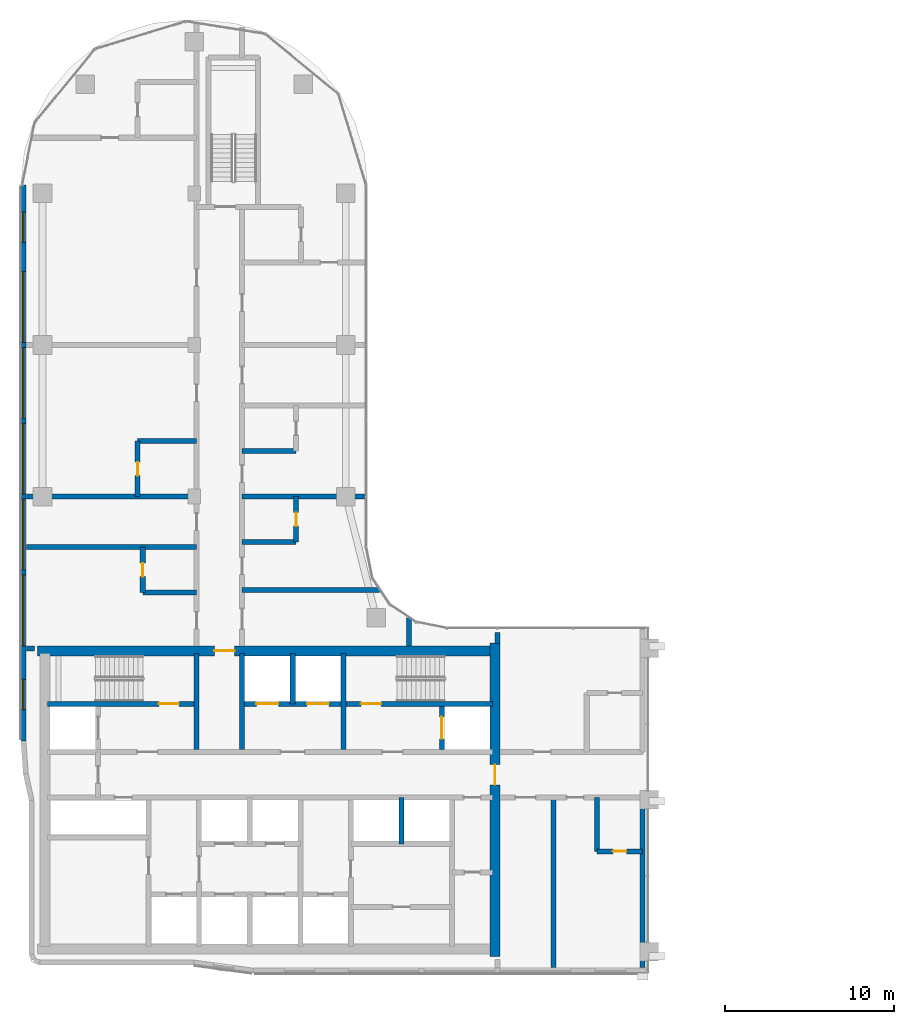
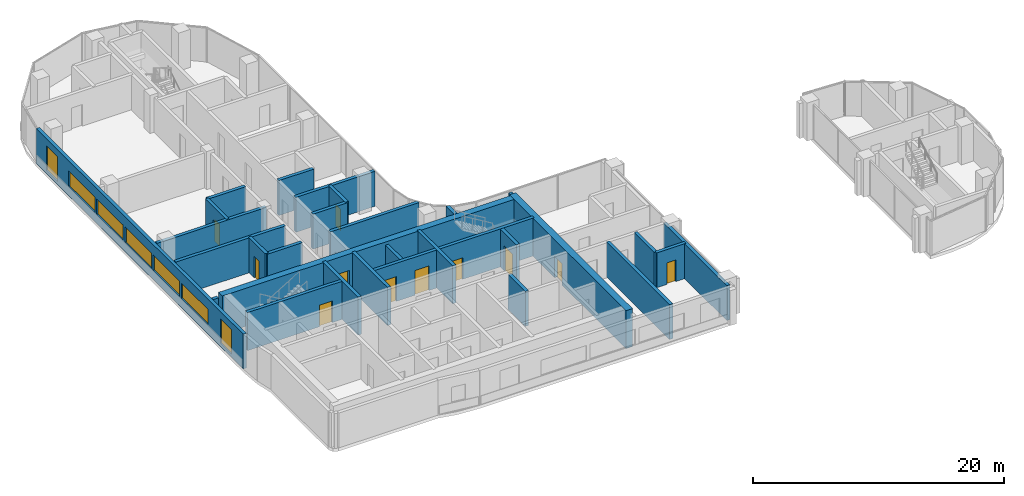
# One storey, part 11 of 23: 29 walls, 11 doors, 7 windows, 18 openings.
"""IFC4 building model written with IfcOpenShell, lengths in metres."""

import ifcopenshell
import ifcopenshell.guid

model = None  # the IFC model being written
_history = None  # IfcOwnerHistory: only IFC2X3 demands one
_inside = {}  # id of a spatial element -> (the spatial element, [elements in it])
_under = {}  # id of a project, library or spatial element -> (it, [spatial elements below it])
_declared = {}  # id of a project -> (the project, [libraries it declares])
_typed = {}  # id of a type object -> (the type object, [elements of that type])
_made_of = {}  # id of a material, layer set ... -> (it, [elements and type objects made of it])


def new_model(schema):
    """Start an empty IFC model of exactly this schema.

    Asked for "IFC4X3", IfcOpenShell would pick the latest addendum, in which some entities
    have other attributes; the version numbers below select the first issue.
    IFC2X3 requires an IfcOwnerHistory on every rooted entity: one is made here for all.
    """
    global model, _history
    if schema == "IFC4X3":
        model = ifcopenshell.file(schema_version=(4, 3, 0, 0))
    else:
        model = ifcopenshell.file(schema=schema)
    _inside.clear()
    _under.clear()
    _declared.clear()
    _typed.clear()
    _made_of.clear()
    _history = None
    if model.schema == "IFC2X3":
        org = make("IfcOrganization", Name="unknown")
        user = make(
            "IfcPersonAndOrganization",
            ThePerson=make("IfcPerson", FamilyName="unknown"),
            TheOrganization=org,
        )
        app = make(
            "IfcApplication",
            ApplicationDeveloper=org,
            Version="unknown",
            ApplicationFullName="unknown",
            ApplicationIdentifier="unknown",
        )
        _history = make(
            "IfcOwnerHistory",
            OwningUser=user,
            OwningApplication=app,
            ChangeAction="ADDED",
            CreationDate=0,
        )
    return model


def make(cls, **values):
    """One entity of the class cls with the attributes given. An attribute that is None is left unset."""
    return model.create_entity(
        cls, **{name: value for name, value in values.items() if value is not None}
    )


def rooted(cls, **values):
    """An entity with a GlobalId (a new one), such as an element, a storey or a relation."""
    return make(cls, GlobalId=ifcopenshell.guid.new(), OwnerHistory=_history, **values)


def si_unit(unit_type, name, prefix=None):
    """IfcSIUnit, for example si_unit("LENGTHUNIT", "METRE", prefix="MILLI")."""
    return make("IfcSIUnit", UnitType=unit_type, Prefix=prefix, Name=name)


def assignment(units):
    """IfcUnitAssignment: the units of a project."""
    return None if units is None else make("IfcUnitAssignment", Units=units)


def point(xyz):
    """IfcCartesianPoint."""
    return None if xyz is None else make("IfcCartesianPoint", Coordinates=xyz)


def direction(xyz):
    """IfcDirection."""
    return None if xyz is None else make("IfcDirection", DirectionRatios=xyz)


def frame(location, z_axis=None, x_axis=None):
    """IfcAxis2Placement3D, a coordinate frame: its origin and axes. An axis left out is left unset."""
    return make(
        "IfcAxis2Placement3D",
        Location=point(location),
        Axis=direction(z_axis),
        RefDirection=direction(x_axis),
    )


def frame_2d(location, x_axis=None):
    """IfcAxis2Placement2D, a coordinate frame in the plane: its origin and x axis."""
    return make(
        "IfcAxis2Placement2D", Location=point(location), RefDirection=direction(x_axis)
    )


def origin():
    """The frame at (0, 0, 0) with its axes left unset."""
    return frame((0.0, 0.0, 0.0))


def place(relative_to, where):
    """IfcLocalPlacement: puts the frame where relative to a parent placement (None: the world)."""
    return make(
        "IfcLocalPlacement", PlacementRelTo=relative_to, RelativePlacement=where
    )


def context(
    kind, dimensions, precision=None, world=None, true_north=None, identifier=None
):
    """IfcGeometricRepresentationContext, for example the 3D "Model" context."""
    return make(
        "IfcGeometricRepresentationContext",
        ContextIdentifier=identifier,
        ContextType=kind,
        CoordinateSpaceDimension=dimensions,
        Precision=precision,
        WorldCoordinateSystem=world,
        TrueNorth=true_north,
    )


def subcontext(parent, identifier, kind, view, scale=None):
    """IfcGeometricRepresentationSubContext, for example "Body" below "Model"."""
    return make(
        "IfcGeometricRepresentationSubContext",
        ContextIdentifier=identifier,
        ContextType=kind,
        ParentContext=parent,
        TargetScale=scale,
        TargetView=view,
    )


def project(units=None, contexts=None):
    """IfcProject with its units and contexts."""
    return rooted(
        "IfcProject",
        Name="project",
        RepresentationContexts=contexts,
        UnitsInContext=assignment(units),
    )


def spatial(cls, under=None, at=None, **own):
    """A site, building, storey or space (cls), placed at a placement, below another one or the project."""
    s = rooted(cls, ObjectPlacement=at, **own)
    if under is not None:
        _under.setdefault(under.id(), (under, []))[1].append(s)
    return s


def profile(cls, at=None, kind="AREA", **sizes):
    """A parametric profile (cls). Its sizes go by their IFC names, for example OverallWidth=200.0."""
    return make(cls, ProfileType=kind, Position=at, **sizes)


def rectangle(**sizes):
    """IfcRectangleProfileDef."""
    return profile("IfcRectangleProfileDef", **sizes)


def extrude(swept, where, along, depth):
    """IfcExtrudedAreaSolid: the profile swept, set in the frame where, extruded along a direction by depth."""
    return make(
        "IfcExtrudedAreaSolid",
        SweptArea=swept,
        Position=where,
        ExtrudedDirection=direction(along),
        Depth=depth,
    )


def shape(context_of_items, identifier, shape_type, items):
    """IfcShapeRepresentation: the items that make up one representation, for example the "Body"."""
    return make(
        "IfcShapeRepresentation",
        ContextOfItems=context_of_items,
        RepresentationIdentifier=identifier,
        RepresentationType=shape_type,
        Items=items,
    )


def material(Name=None, Category=None):
    """IfcMaterial."""
    return make("IfcMaterial", Name=Name, Category=Category)


def layer(
    of_material, thickness, ventilated=None, Name=None, Category=None, Priority=None
):
    """IfcMaterialLayer: one layer of a wall or slab, of a material (None: an air gap)."""
    return make(
        "IfcMaterialLayer",
        Material=of_material,
        LayerThickness=thickness,
        IsVentilated=ventilated,
        Name=Name,
        Category=Category,
        Priority=Priority,
    )


def layer_set(layers, Name=None):
    """IfcMaterialLayerSet."""
    return make("IfcMaterialLayerSet", MaterialLayers=layers, LayerSetName=Name)


def made_of(thing, what):
    """Note that an element or type object is made of a material, layer set ...; save() writes the relation."""
    if what is not None:
        _made_of.setdefault(what.id(), (what, []))[1].append(thing)
    return thing


def type_object(cls, material=None, **own):
    """A type object (cls), such as IfcWallType, which elements share."""
    return made_of(rooted(cls, **own), material)


def element(
    cls,
    number,
    at=None,
    inside=None,
    cuts=None,
    type_object=None,
    material=None,
    context=None,
    identifier="Body",
    shape_type=None,
    held_by="IfcProductDefinitionShape",
    body=None,
    shapes=None,
    **own,
):
    """One element of the class cls, such as IfcWall. Its Tag is "e" and its number.

    at: its placement. inside: the storey or other place that contains it. cuts: it is an
    opening in that element (IfcRelVoidsElement). A single representation is given by context,
    identifier, shape_type and body (its items); several are given by shapes. held_by: the class
    of the entity that holds the representations. save() writes the other relations.
    """
    e = rooted(cls, Tag="e%d" % number, ObjectPlacement=at, **own)
    if body is not None:
        shapes = [shape(context, identifier, shape_type, body)]
    if shapes is not None:
        e.Representation = make(held_by, Representations=shapes)
    if inside is not None:
        _inside.setdefault(inside.id(), (inside, []))[1].append(e)
    if cuts is not None:
        rooted(
            "IfcRelVoidsElement", RelatingBuildingElement=cuts, RelatedOpeningElement=e
        )
    if type_object is not None:
        _typed.setdefault(type_object.id(), (type_object, []))[1].append(e)
    return made_of(e, material)


def fill(opening, filler):
    """IfcRelFillsElement: the door or window that sits in an opening."""
    return rooted(
        "IfcRelFillsElement",
        RelatingOpeningElement=opening,
        RelatedBuildingElement=filler,
    )


def aggregate(whole, parts):
    """IfcRelAggregates: a whole, such as a stair, and the parts it consists of."""
    return rooted("IfcRelAggregates", RelatingObject=whole, RelatedObjects=parts)


def save(model, path):
    """Write the relations noted so far, then the file.

    IfcRelAggregates (storeys below a building ...), IfcRelContainedInSpatialStructure (elements
    in a storey), IfcRelDefinesByType, IfcRelAssociatesMaterial and IfcRelDeclares: one each for
    every whole, place, type object, material and project.
    """
    for whole, parts in _under.values():
        aggregate(whole, parts)
    for where, things in _inside.values():
        rooted(
            "IfcRelContainedInSpatialStructure",
            RelatedElements=things,
            RelatingStructure=where,
        )
    for kind, things in _typed.values():
        rooted("IfcRelDefinesByType", RelatedObjects=things, RelatingType=kind)
    for what, things in _made_of.values():
        rooted("IfcRelAssociatesMaterial", RelatedObjects=things, RelatingMaterial=what)
    for by, libraries in _declared.values():
        rooted("IfcRelDeclares", RelatingContext=by, RelatedDefinitions=libraries)
    model.write(path)


model = new_model("IFC4")

# Units and contexts
model_context = context("Model", 3, precision=1e-05, world=origin(), true_north=direction((0.0, 1.0)))
body_context = subcontext(model_context, "Body", "Model", "MODEL_VIEW")
ifc_project = project(units=[si_unit("LENGTHUNIT", "METRE"), si_unit("AREAUNIT", "SQUARE_METRE"), si_unit("VOLUMEUNIT", "CUBIC_METRE"), si_unit("PLANEANGLEUNIT", "RADIAN"), si_unit("MASSUNIT", "GRAM", prefix="KILO")], contexts=[model_context])

# Site, building, storey
site_placement = place(None, origin())
site = spatial("IfcSite", under=ifc_project, at=site_placement, CompositionType="ELEMENT")
building_placement = place(site_placement, origin())
building = spatial("IfcBuilding", under=site, at=building_placement, Name="Ogive Portal Towers", CompositionType="ELEMENT")
storey_placement = place(building_placement, frame((0.0, 0.0, 168.10009765625)))
storey = spatial("IfcBuildingStorey", under=building, at=storey_placement, Name="L41", CompositionType="ELEMENT", Elevation=168.10009765625)

# Wall, opening, door
ifc_material_1 = material(Name="Concrete C60/75", Category="concrete")
ifc_layer_1 = layer(ifc_material_1, 0.300048828125)
ifc_layer_set_1 = layer_set([ifc_layer_1], Name="CORE WALL 300 C60")
wall_type_1 = type_object("IfcWallType", Name="CORE WALL 300 C60", PredefinedType="SHEAR", material=ifc_layer_set_1)
wall_1_placement = place(storey_placement, frame((31.800048828125, 36.199951171875, 0.0), z_axis=(0.0, 0.0, 1.0), x_axis=(1.0, 0.0, 0.0)))
wall_1 = element("IfcWall", 1, at=wall_1_placement, inside=storey, type_object=wall_type_1, Name="Core wall Y3a L41", PredefinedType="SHEAR", context=body_context, shape_type="SweptSolid", body=[
    extrude(rectangle(XDim=8.699951171875, YDim=0.300048828125, at=frame_2d((4.35009765625, 0.0))), origin(), (0.0, 0.0, 1.0), 3.699951171875),
])
opening_1_placement = place(wall_1_placement, frame((6.60009765625, 0.0, 0.0)))
opening_1 = element("IfcOpeningElement", 2, at=opening_1_placement, cuts=wall_1, Name="Opening D16-005", PredefinedType="OPENING", context=body_context, shape_type="SweptSolid", body=[
    extrude(rectangle(XDim=1.199951171875, YDim=2.10009765625, at=frame_2d((0.60009765625, 1.050048828125))), frame((0.0, 0.16015625, 0.0), z_axis=(0.0, -1.0, 0.0), x_axis=(1.0, 0.0, 0.0)), (0.0, 0.0, 1.0), 0.320068359375),
])
ifc_material_2 = material(Name="Steel fire door", Category="steel")
door_type_1 = type_object("IfcDoorType", Name="DT-SWING-1200x2100-FD90S", OperationType="SINGLE_SWING_LEFT", PredefinedType="DOOR", material=ifc_material_2)
door_1_placement = place(opening_1_placement, origin())
door_1 = element("IfcDoor", 3, at=door_1_placement, inside=storey, type_object=door_type_1, Name="Door D16-005", OperationType="SINGLE_SWING_RIGHT", OverallHeight=2.10009765625, OverallWidth=1.199951171875, PredefinedType="DOOR", context=body_context, shape_type="SweptSolid", body=[
    extrude(rectangle(XDim=1.199951171875, YDim=2.10009765625, at=frame_2d((0.60009765625, 1.050048828125))), frame((0.0, 0.02490234375, 0.0), z_axis=(0.0, -1.0, 0.0), x_axis=(1.0, 0.0, 0.0)), (0.0, 0.0, 1.0), 0.050048828125),
])
fill(opening_1, door_1)

# Wall, openings, doors
wall_2_placement = place(storey_placement, frame((43.5, 36.199951171875, 0.0), z_axis=(0.0, 0.0, 1.0), x_axis=(1.0, 0.0, 0.0)))
wall_2 = element("IfcWall", 4, at=wall_2_placement, inside=storey, type_object=wall_type_1, Name="Core wall Y3b L41", PredefinedType="SHEAR", context=body_context, shape_type="SweptSolid", body=[
    extrude(rectangle(XDim=14.699951171875, YDim=0.300048828125, at=frame_2d((7.35009765625, 0.0))), origin(), (0.0, 0.0, 1.0), 3.699951171875),
])
opening_2_placement = place(wall_2_placement, frame((6.89990234375, 0.0, 0.0)))
opening_2 = element("IfcOpeningElement", 5, at=opening_2_placement, cuts=wall_2, Name="Opening D16-006", PredefinedType="OPENING", context=body_context, shape_type="SweptSolid", body=[
    extrude(rectangle(XDim=1.199951171875, YDim=2.10009765625, at=frame_2d((0.60009765625, 1.050048828125))), frame((0.0, 0.16015625, 0.0), z_axis=(0.0, -1.0, 0.0), x_axis=(1.0, 0.0, 0.0)), (0.0, 0.0, 1.0), 0.320068359375),
])
opening_3_placement = place(wall_2_placement, frame((0.699951171875, 0.0, 0.0)))
opening_3 = element("IfcOpeningElement", 6, at=opening_3_placement, cuts=wall_2, Name="Opening D16-017", PredefinedType="OPENING", context=body_context, shape_type="SweptSolid", body=[
    extrude(rectangle(XDim=1.300048828125, YDim=2.39990234375, at=frame_2d((0.64990234375, 1.199951171875))), frame((0.0, 0.16015625, 0.0), z_axis=(0.0, -1.0, 0.0), x_axis=(1.0, 0.0, 0.0)), (0.0, 0.0, 1.0), 0.320068359375),
])
opening_4_placement = place(wall_2_placement, frame((3.699951171875, 0.0, 0.0)))
opening_4 = element("IfcOpeningElement", 7, at=opening_4_placement, cuts=wall_2, Name="Opening D16-018", PredefinedType="OPENING", context=body_context, shape_type="SweptSolid", body=[
    extrude(rectangle(XDim=1.300048828125, YDim=2.39990234375, at=frame_2d((0.64990234375, 1.199951171875))), frame((0.0, 0.16015625, 0.0), z_axis=(0.0, -1.0, 0.0), x_axis=(1.0, 0.0, 0.0)), (0.0, 0.0, 1.0), 0.320068359375),
])
ifc_material_3 = material(Name="Stainless steel", Category="steel")
door_type_2 = type_object("IfcDoorType", Name="DT-LD-1300x2400", OperationType="SLIDING_TO_LEFT", PredefinedType="DOOR", material=ifc_material_3)
door_2_placement = place(opening_3_placement, origin())
door_2 = element("IfcDoor", 8, at=door_2_placement, inside=storey, type_object=door_type_2, Name="Door D16-017", OperationType="SLIDING_TO_LEFT", OverallHeight=2.39990234375, OverallWidth=1.300048828125, PredefinedType="DOOR", context=body_context, shape_type="SweptSolid", body=[
    extrude(rectangle(XDim=1.300048828125, YDim=2.39990234375, at=frame_2d((0.64990234375, 1.199951171875))), frame((0.0, 0.02490234375, 0.0), z_axis=(0.0, -1.0, 0.0), x_axis=(1.0, 0.0, 0.0)), (0.0, 0.0, 1.0), 0.050048828125),
])
fill(opening_3, door_2)
door_3_placement = place(opening_4_placement, origin())
door_3 = element("IfcDoor", 9, at=door_3_placement, inside=storey, type_object=door_type_2, Name="Door D16-018", OperationType="SLIDING_TO_LEFT", OverallHeight=2.39990234375, OverallWidth=1.300048828125, PredefinedType="DOOR", context=body_context, shape_type="SweptSolid", body=[
    extrude(rectangle(XDim=1.300048828125, YDim=2.39990234375, at=frame_2d((0.64990234375, 1.199951171875))), frame((0.0, 0.02490234375, 0.0), z_axis=(0.0, -1.0, 0.0), x_axis=(1.0, 0.0, 0.0)), (0.0, 0.0, 1.0), 0.050048828125),
])
fill(opening_4, door_3)
door_4_placement = place(opening_2_placement, origin())
door_4 = element("IfcDoor", 10, at=door_4_placement, inside=storey, type_object=door_type_1, Name="Door D16-006", OperationType="SINGLE_SWING_LEFT", OverallHeight=2.10009765625, OverallWidth=1.199951171875, PredefinedType="DOOR", context=body_context, shape_type="SweptSolid", body=[
    extrude(rectangle(XDim=1.199951171875, YDim=2.10009765625, at=frame_2d((0.60009765625, 1.050048828125))), frame((0.0, 0.02490234375, 0.0), z_axis=(0.0, -1.0, 0.0), x_axis=(1.0, 0.0, 0.0)), (0.0, 0.0, 1.0), 0.050048828125),
])
fill(opening_2, door_4)

# Walls
for number, where, z_axis, x_axis, name in (
    (11, (40.64990234375, 33.5, 0.0), (0.0, 0.0, 1.0), (0.0, 1.0, 0.0), "Core wall X6 L41"),
    (12, (43.35009765625, 33.5, 0.0), (0.0, 0.0, 1.0), (0.0, 1.0, 0.0), "Core wall X7 L41"),
    (13, (49.35009765625, 33.5, 0.0), (0.0, 0.0, 1.0), (0.0, 1.0, 0.0), "Core wall X9 L41"),
):
    element("IfcWall", number, at=place(storey_placement, frame(where, z_axis=z_axis, x_axis=x_axis)), inside=storey, type_object=wall_type_1, Name=name, PredefinedType="SHEAR", context=body_context, shape_type="SweptSolid", body=[
        extrude(rectangle(XDim=5.699951171875, YDim=0.300048828125, at=frame_2d((2.85009765625, 0.0))), origin(), (0.0, 0.0, 1.0), 3.699951171875),
    ])

# Wall, opening, door
wall_3_placement = place(storey_placement, frame((55.199951171875, 33.5, 0.0), z_axis=(0.0, 0.0, 1.0), x_axis=(0.0, 1.0, 0.0)))
wall_3 = element("IfcWall", 14, at=wall_3_placement, inside=storey, type_object=wall_type_1, Name="Core wall X10 L41", PredefinedType="SHEAR", context=body_context, shape_type="SweptSolid", body=[
    extrude(rectangle(XDim=2.550048828125, YDim=0.300048828125, at=frame_2d((1.27490234375, 0.0))), origin(), (0.0, 0.0, 1.0), 3.699951171875),
])
opening_5_placement = place(wall_3_placement, frame((0.625, 0.0, 0.0)))
opening_5 = element("IfcOpeningElement", 15, at=opening_5_placement, cuts=wall_3, Name="Opening D16-020", PredefinedType="OPENING", context=body_context, shape_type="SweptSolid", body=[
    extrude(rectangle(XDim=1.300048828125, YDim=2.39990234375, at=frame_2d((0.64990234375, 1.199951171875))), frame((0.0, 0.16015625, 0.0), z_axis=(0.0, -1.0, 0.0), x_axis=(1.0, 0.0, 0.0)), (0.0, 0.0, 1.0), 0.320068359375),
])
door_5_placement = place(opening_5_placement, origin())
door_5 = element("IfcDoor", 16, at=door_5_placement, inside=storey, type_object=door_type_2, Name="Door D16-020", OperationType="SLIDING_TO_LEFT", OverallHeight=2.39990234375, OverallWidth=1.300048828125, PredefinedType="DOOR", context=body_context, shape_type="SweptSolid", body=[
    extrude(rectangle(XDim=1.300048828125, YDim=2.39990234375, at=frame_2d((0.64990234375, 1.199951171875))), frame((0.0, 0.02490234375, 0.0), z_axis=(0.0, -1.0, 0.0), x_axis=(1.0, 0.0, 0.0)), (0.0, 0.0, 1.0), 0.050048828125),
])
fill(opening_5, door_5)

ifc_layer_2 = layer(ifc_material_1, 0.60009765625)
ifc_layer_set_2 = layer_set([ifc_layer_2], Name="CORE WALL 600 C60")
wall_type_2 = type_object("IfcWallType", Name="CORE WALL 600 C60", PredefinedType="SHEAR", material=ifc_layer_set_2)
wall_4_placement = place(storey_placement, frame((58.35009765625, 21.199951171875, 0.0), z_axis=(0.0, 0.0, 1.0), x_axis=(0.0, 1.0, 0.0)))
wall_4 = element("IfcWall", 17, at=wall_4_placement, inside=storey, type_object=wall_type_2, Name="Core wall E L41", PredefinedType="SHEAR", context=body_context, shape_type="SweptSolid", body=[
    extrude(rectangle(XDim=18.60009765625, YDim=0.60009765625, at=frame_2d((9.300048828125, 0.0))), origin(), (0.0, 0.0, 1.0), 3.699951171875),
])
opening_6_placement = place(wall_4_placement, frame((10.199951171875, 0.0, 0.0)))
opening_6 = element("IfcOpeningElement", 18, at=opening_6_placement, cuts=wall_4, Name="Opening D16-011", PredefinedType="OPENING", context=body_context, shape_type="SweptSolid", body=[
    extrude(rectangle(XDim=1.199951171875, YDim=2.10009765625, at=frame_2d((0.60009765625, 1.050048828125))), frame((0.0, 0.31005859375, 0.0), z_axis=(0.0, -1.0, 0.0), x_axis=(1.0, 0.0, 0.0)), (0.0, 0.0, 1.0), 0.6201171875),
])
door_6_placement = place(opening_6_placement, origin())
door_6 = element("IfcDoor", 19, at=door_6_placement, inside=storey, type_object=door_type_1, Name="Door D16-011", OperationType="SINGLE_SWING_LEFT", OverallHeight=2.10009765625, OverallWidth=1.199951171875, PredefinedType="DOOR", context=body_context, shape_type="SweptSolid", body=[
    extrude(rectangle(XDim=1.199951171875, YDim=2.10009765625, at=frame_2d((0.60009765625, 1.050048828125))), frame((0.0, 0.02490234375, 0.0), z_axis=(0.0, -1.0, 0.0), x_axis=(1.0, 0.0, 0.0)), (0.0, 0.0, 1.0), 0.050048828125),
])
fill(opening_6, door_6)

wall_5_placement = place(storey_placement, frame((31.199951171875, 39.35009765625, 0.0), z_axis=(0.0, 0.0, 1.0), x_axis=(1.0, 0.0, 0.0)))
wall_5 = element("IfcWall", 20, at=wall_5_placement, inside=storey, type_object=wall_type_2, Name="Core wall N L41", PredefinedType="SHEAR", context=body_context, shape_type="SweptSolid", body=[
    extrude(rectangle(XDim=27.0, YDim=0.60009765625, at=frame_2d((13.5, 0.0))), origin(), (0.0, 0.0, 1.0), 3.699951171875),
])
opening_7_placement = place(wall_5_placement, frame((10.5, 0.0, 0.0)))
opening_7 = element("IfcOpeningElement", 21, at=opening_7_placement, cuts=wall_5, Name="Opening D16-012", PredefinedType="OPENING", context=body_context, shape_type="SweptSolid", body=[
    extrude(rectangle(XDim=1.199951171875, YDim=2.10009765625, at=frame_2d((0.60009765625, 1.050048828125))), frame((0.0, 0.31005859375, 0.0), z_axis=(0.0, -1.0, 0.0), x_axis=(1.0, 0.0, 0.0)), (0.0, 0.0, 1.0), 0.6201171875),
])
door_7_placement = place(opening_7_placement, origin())
door_7 = element("IfcDoor", 22, at=door_7_placement, inside=storey, type_object=door_type_1, Name="Door D16-012", OperationType="SINGLE_SWING_RIGHT", OverallHeight=2.10009765625, OverallWidth=1.199951171875, PredefinedType="DOOR", context=body_context, shape_type="SweptSolid", body=[
    extrude(rectangle(XDim=1.199951171875, YDim=2.10009765625, at=frame_2d((0.60009765625, 1.050048828125))), frame((0.0, 0.02490234375, 0.0), z_axis=(0.0, -1.0, 0.0), x_axis=(1.0, 0.0, 0.0)), (0.0, 0.0, 1.0), 0.050048828125),
])
fill(opening_7, door_7)

# Wall, openings, windows
ifc_material_4 = material(Name="Limestone cladding on lightweight block wall", Category="masonry")
ifc_layer_3 = layer(ifc_material_4, 0.300048828125)
ifc_layer_set_3 = layer_set([ifc_layer_3], Name="EXTERNAL WALL 300 STONE")
wall_type_3 = type_object("IfcWallType", Name="EXTERNAL WALL 300 STONE", PredefinedType="SOLIDWALL", material=ifc_layer_set_3)
wall_6_placement = place(storey_placement, frame((30.364990234375, 66.9921875, 0.0), z_axis=(0.0, 0.0, 1.0), x_axis=(0.0, -1.0, 0.0)))
wall_6 = element("IfcWall", 23, at=wall_6_placement, inside=storey, type_object=wall_type_3, Name="A:L41:f19:r0:wall", PredefinedType="SOLIDWALL", context=body_context, shape_type="SweptSolid", body=[
    extrude(rectangle(XDim=32.9814453125, YDim=0.300048828125, at=frame_2d((16.49072265625, 0.0))), origin(), (0.0, 0.0, 1.0), 3.39990234375),
])
opening_8_placement = place(wall_6_placement, frame((1.595947265625, 0.0, 0.300048828125)))
opening_8 = element("IfcOpeningElement", 24, at=opening_8_placement, cuts=wall_6, Name="Opening WN10", PredefinedType="OPENING", context=body_context, shape_type="SweptSolid", body=[
    extrude(rectangle(XDim=1.800048828125, YDim=2.39990234375, at=frame_2d((0.89990234375, 1.199951171875))), frame((0.0, 0.16015625, 0.0), z_axis=(0.0, -1.0, 0.0), x_axis=(1.0, 0.0, 0.0)), (0.0, 0.0, 1.0), 0.320068359375),
])
opening_9_placement = place(wall_6_placement, frame((5.14208984375, 0.0, 0.89990234375)))
opening_9 = element("IfcOpeningElement", 25, at=opening_9_placement, cuts=wall_6, Name="Opening WN11", PredefinedType="OPENING", context=body_context, shape_type="SweptSolid", body=[
    extrude(rectangle(XDim=4.199951171875, YDim=1.5, at=frame_2d((2.10009765625, 0.75))), frame((0.0, 0.16015625, 0.0), z_axis=(0.0, -1.0, 0.0), x_axis=(1.0, 0.0, 0.0)), (0.0, 0.0, 1.0), 0.320068359375),
])
opening_10_placement = place(wall_6_placement, frame((9.64208984375, 0.0, 0.89990234375)))
opening_10 = element("IfcOpeningElement", 26, at=opening_10_placement, cuts=wall_6, Name="Opening WN11", PredefinedType="OPENING", context=body_context, shape_type="SweptSolid", body=[
    extrude(rectangle(XDim=4.199951171875, YDim=1.5, at=frame_2d((2.10009765625, 0.75))), frame((0.0, 0.16015625, 0.0), z_axis=(0.0, -1.0, 0.0), x_axis=(1.0, 0.0, 0.0)), (0.0, 0.0, 1.0), 0.320068359375),
])
opening_11_placement = place(wall_6_placement, frame((14.14208984375, 0.0, 0.89990234375)))
opening_11 = element("IfcOpeningElement", 27, at=opening_11_placement, cuts=wall_6, Name="Opening WN11", PredefinedType="OPENING", context=body_context, shape_type="SweptSolid", body=[
    extrude(rectangle(XDim=4.199951171875, YDim=1.5, at=frame_2d((2.10009765625, 0.75))), frame((0.0, 0.16015625, 0.0), z_axis=(0.0, -1.0, 0.0), x_axis=(1.0, 0.0, 0.0)), (0.0, 0.0, 1.0), 0.320068359375),
])
opening_12_placement = place(wall_6_placement, frame((18.64208984375, 0.0, 0.89990234375)))
opening_12 = element("IfcOpeningElement", 28, at=opening_12_placement, cuts=wall_6, Name="Opening WN11", PredefinedType="OPENING", context=body_context, shape_type="SweptSolid", body=[
    extrude(rectangle(XDim=4.199951171875, YDim=1.5, at=frame_2d((2.10009765625, 0.75))), frame((0.0, 0.16015625, 0.0), z_axis=(0.0, -1.0, 0.0), x_axis=(1.0, 0.0, 0.0)), (0.0, 0.0, 1.0), 0.320068359375),
])
opening_13_placement = place(wall_6_placement, frame((23.14208984375, 0.0, 0.89990234375)))
opening_13 = element("IfcOpeningElement", 29, at=opening_13_placement, cuts=wall_6, Name="Opening WN11", PredefinedType="OPENING", context=body_context, shape_type="SweptSolid", body=[
    extrude(rectangle(XDim=4.199951171875, YDim=1.5, at=frame_2d((2.10009765625, 0.75))), frame((0.0, 0.16015625, 0.0), z_axis=(0.0, -1.0, 0.0), x_axis=(1.0, 0.0, 0.0)), (0.0, 0.0, 1.0), 0.320068359375),
])
opening_14_placement = place(wall_6_placement, frame((29.336669921875, 0.0, 0.300048828125)))
opening_14 = element("IfcOpeningElement", 30, at=opening_14_placement, cuts=wall_6, Name="Opening WN10", PredefinedType="OPENING", context=body_context, shape_type="SweptSolid", body=[
    extrude(rectangle(XDim=1.800048828125, YDim=2.39990234375, at=frame_2d((0.89990234375, 1.199951171875))), frame((0.0, 0.16015625, 0.0), z_axis=(0.0, -1.0, 0.0), x_axis=(1.0, 0.0, 0.0)), (0.0, 0.0, 1.0), 0.320068359375),
])
ifc_material_5 = material(Name="Glass, clear low-iron insulated glazing", Category="glass")
window_type_1 = type_object("IfcWindowType", Name="WINDOW RIBBON 4200x1500", PartitioningType="TRIPLE_PANEL_VERTICAL", PredefinedType="WINDOW", material=ifc_material_5)
window_1_placement = place(opening_9_placement, origin())
window_1 = element("IfcWindow", 31, at=window_1_placement, inside=storey, type_object=window_type_1, Name="A:L41:f19:r0:w1", OverallHeight=1.5, OverallWidth=4.199951171875, PartitioningType="SINGLE_PANEL", PredefinedType="WINDOW", context=body_context, shape_type="SweptSolid", body=[
    extrude(rectangle(XDim=4.199951171875, YDim=1.5, at=frame_2d((2.10009765625, 0.75))), frame((0.0, 0.030029296875, 0.0), z_axis=(0.0, -1.0, 0.0), x_axis=(1.0, 0.0, 0.0)), (0.0, 0.0, 1.0), 0.06005859375),
])
fill(opening_9, window_1)
window_2_placement = place(opening_10_placement, origin())
window_2 = element("IfcWindow", 32, at=window_2_placement, inside=storey, type_object=window_type_1, Name="A:L41:f19:r0:w2", OverallHeight=1.5, OverallWidth=4.199951171875, PartitioningType="SINGLE_PANEL", PredefinedType="WINDOW", context=body_context, shape_type="SweptSolid", body=[
    extrude(rectangle(XDim=4.199951171875, YDim=1.5, at=frame_2d((2.10009765625, 0.75))), frame((0.0, 0.030029296875, 0.0), z_axis=(0.0, -1.0, 0.0), x_axis=(1.0, 0.0, 0.0)), (0.0, 0.0, 1.0), 0.06005859375),
])
fill(opening_10, window_2)
window_3_placement = place(opening_11_placement, origin())
window_3 = element("IfcWindow", 33, at=window_3_placement, inside=storey, type_object=window_type_1, Name="A:L41:f19:r0:w3", OverallHeight=1.5, OverallWidth=4.199951171875, PartitioningType="SINGLE_PANEL", PredefinedType="WINDOW", context=body_context, shape_type="SweptSolid", body=[
    extrude(rectangle(XDim=4.199951171875, YDim=1.5, at=frame_2d((2.10009765625, 0.75))), frame((0.0, 0.030029296875, 0.0), z_axis=(0.0, -1.0, 0.0), x_axis=(1.0, 0.0, 0.0)), (0.0, 0.0, 1.0), 0.06005859375),
])
fill(opening_11, window_3)
window_4_placement = place(opening_12_placement, origin())
window_4 = element("IfcWindow", 34, at=window_4_placement, inside=storey, type_object=window_type_1, Name="A:L41:f19:r0:w4", OverallHeight=1.5, OverallWidth=4.199951171875, PartitioningType="SINGLE_PANEL", PredefinedType="WINDOW", context=body_context, shape_type="SweptSolid", body=[
    extrude(rectangle(XDim=4.199951171875, YDim=1.5, at=frame_2d((2.10009765625, 0.75))), frame((0.0, 0.030029296875, 0.0), z_axis=(0.0, -1.0, 0.0), x_axis=(1.0, 0.0, 0.0)), (0.0, 0.0, 1.0), 0.06005859375),
])
fill(opening_12, window_4)
window_5_placement = place(opening_13_placement, origin())
window_5 = element("IfcWindow", 35, at=window_5_placement, inside=storey, type_object=window_type_1, Name="A:L41:f19:r0:w5", OverallHeight=1.5, OverallWidth=4.199951171875, PartitioningType="SINGLE_PANEL", PredefinedType="WINDOW", context=body_context, shape_type="SweptSolid", body=[
    extrude(rectangle(XDim=4.199951171875, YDim=1.5, at=frame_2d((2.10009765625, 0.75))), frame((0.0, 0.030029296875, 0.0), z_axis=(0.0, -1.0, 0.0), x_axis=(1.0, 0.0, 0.0)), (0.0, 0.0, 1.0), 0.06005859375),
])
fill(opening_13, window_5)
window_type_2 = type_object("IfcWindowType", Name="WINDOW SUITE CORNER 1800x2400", PartitioningType="DOUBLE_PANEL_VERTICAL", PredefinedType="WINDOW", material=ifc_material_5)
window_6_placement = place(opening_8_placement, origin())
window_6 = element("IfcWindow", 36, at=window_6_placement, inside=storey, type_object=window_type_2, Name="A:L41:f19:r0:w0", OverallHeight=2.39990234375, OverallWidth=1.800048828125, PartitioningType="SINGLE_PANEL", PredefinedType="WINDOW", context=body_context, shape_type="SweptSolid", body=[
    extrude(rectangle(XDim=1.800048828125, YDim=2.39990234375, at=frame_2d((0.89990234375, 1.199951171875))), frame((0.0, 0.030029296875, 0.0), z_axis=(0.0, -1.0, 0.0), x_axis=(1.0, 0.0, 0.0)), (0.0, 0.0, 1.0), 0.06005859375),
])
fill(opening_8, window_6)
window_7_placement = place(opening_14_placement, origin())
window_7 = element("IfcWindow", 37, at=window_7_placement, inside=storey, type_object=window_type_2, Name="A:L41:f19:r0:w6", OverallHeight=2.39990234375, OverallWidth=1.800048828125, PartitioningType="SINGLE_PANEL", PredefinedType="WINDOW", context=body_context, shape_type="SweptSolid", body=[
    extrude(rectangle(XDim=1.800048828125, YDim=2.39990234375, at=frame_2d((0.89990234375, 1.199951171875))), frame((0.0, 0.030029296875, 0.0), z_axis=(0.0, -1.0, 0.0), x_axis=(1.0, 0.0, 0.0)), (0.0, 0.0, 1.0), 0.06005859375),
])
fill(opening_14, window_7)

# Wall, opening, door
ifc_material_6 = material(Name="Gypsum board partition on steel studs", Category="steel")
ifc_layer_4 = layer(ifc_material_6, 0.300048828125)
ifc_layer_set_4 = layer_set([ifc_layer_4], Name="WT-PART-300-EI 60")
wall_type_4 = type_object("IfcWallType", Name="WT-PART-300-EI 60", PredefinedType="PARTITIONING", material=ifc_layer_set_4)
wall_7_placement = place(storey_placement, frame((64.39990234375, 27.449951171875, 0.0), z_axis=(0.0, 0.0, 1.0), x_axis=(1.0, 0.0, 0.0)))
wall_7 = element("IfcWall", 38, at=wall_7_placement, inside=storey, type_object=wall_type_4, Name="Wall L41:w002", PredefinedType="PARTITIONING", context=body_context, shape_type="SweptSolid", body=[
    extrude(rectangle(XDim=2.7001953125, YDim=0.300048828125, at=frame_2d((1.35009765625, 0.0))), origin(), (0.0, 0.0, 1.0), 3.39990234375),
])
opening_15_placement = place(wall_7_placement, frame((0.949951171875, 0.0, 0.0)))
opening_15 = element("IfcOpeningElement", 39, at=opening_15_placement, cuts=wall_7, Name="Opening D16-029", PredefinedType="OPENING", context=body_context, shape_type="SweptSolid", body=[
    extrude(rectangle(XDim=0.800048828125, YDim=2.10009765625, at=frame_2d((0.39990234375, 1.050048828125))), frame((0.0, 0.16015625, 0.0), z_axis=(0.0, -1.0, 0.0), x_axis=(1.0, 0.0, 0.0)), (0.0, 0.0, 1.0), 0.320068359375),
])
door_type_3 = type_object("IfcDoorType", Name="DT-BATH-800x2100-FD60S", OperationType="SINGLE_SWING_LEFT", PredefinedType="DOOR", material=ifc_material_2)
door_8_placement = place(opening_15_placement, origin())
door_8 = element("IfcDoor", 40, at=door_8_placement, inside=storey, type_object=door_type_3, Name="Door D16-029", OperationType="SINGLE_SWING_LEFT", OverallHeight=2.10009765625, OverallWidth=0.800048828125, PredefinedType="DOOR", context=body_context, shape_type="SweptSolid", body=[
    extrude(rectangle(XDim=0.800048828125, YDim=2.10009765625, at=frame_2d((0.39990234375, 1.050048828125))), frame((0.0, 0.02490234375, 0.0), z_axis=(0.0, -1.0, 0.0), x_axis=(1.0, 0.0, 0.0)), (0.0, 0.0, 1.0), 0.050048828125),
])
fill(opening_15, door_8)

# Walls
wall_8_placement = place(storey_placement, frame((30.56494140625, 39.5, 0.0), z_axis=(0.0, 0.0, 1.0), x_axis=(1.0, 0.0, 0.0)))
element("IfcWall", 41, at=wall_8_placement, inside=storey, type_object=wall_type_4, Name="Wall L41:w008", PredefinedType="PARTITIONING", context=body_context, shape_type="SweptSolid", body=[
    extrude(rectangle(XDim=0.465087890625, YDim=0.300048828125, at=frame_2d((0.232421875, 0.0))), origin(), (0.0, 0.0, 1.0), 3.39990234375),
])
wall_9_placement = place(storey_placement, frame((37.449951171875, 42.800048828125, 0.0), z_axis=(0.0, 0.0, 1.0), x_axis=(1.0, 0.0, 0.0)))
element("IfcWall", 42, at=wall_9_placement, inside=storey, type_object=wall_type_4, Name="Wall L41:w009", PredefinedType="PARTITIONING", context=body_context, shape_type="SweptSolid", body=[
    extrude(rectangle(XDim=3.199951171875, YDim=0.300048828125, at=frame_2d((1.60009765625, 0.0))), origin(), (0.0, 0.0, 1.0), 3.39990234375),
])
wall_10_placement = place(storey_placement, frame((43.35009765625, 42.969970703125, 0.0), z_axis=(0.0, 0.0, 1.0), x_axis=(1.0, 0.0, 0.0)))
element("IfcWall", 43, at=wall_10_placement, inside=storey, type_object=wall_type_4, Name="Wall L41:w010", PredefinedType="PARTITIONING", context=body_context, shape_type="SweptSolid", body=[
    extrude(rectangle(XDim=8.14892578125, YDim=0.300048828125, at=frame_2d((4.074462890625, 0.0))), origin(), (0.0, 0.0, 1.0), 3.39990234375),
])
wall_11_placement = place(storey_placement, frame((30.56494140625, 45.5, 0.0), z_axis=(0.0, 0.0, 1.0), x_axis=(1.0, 0.0, 0.0)))
element("IfcWall", 44, at=wall_11_placement, inside=storey, type_object=wall_type_4, Name="Wall L41:w011", PredefinedType="PARTITIONING", context=body_context, shape_type="SweptSolid", body=[
    extrude(rectangle(XDim=10.0849609375, YDim=0.300048828125, at=frame_2d((5.04248046875, 0.0))), origin(), (0.0, 0.0, 1.0), 3.39990234375),
])
wall_12_placement = place(storey_placement, frame((43.35009765625, 45.800048828125, 0.0), z_axis=(0.0, 0.0, 1.0), x_axis=(1.0, 0.0, 0.0)))
element("IfcWall", 45, at=wall_12_placement, inside=storey, type_object=wall_type_4, Name="Wall L41:w012", PredefinedType="PARTITIONING", context=body_context, shape_type="SweptSolid", body=[
    extrude(rectangle(XDim=3.199951171875, YDim=0.300048828125, at=frame_2d((1.60009765625, 0.0))), origin(), (0.0, 0.0, 1.0), 3.39990234375),
])
wall_13_placement = place(storey_placement, frame((30.56494140625, 48.5, 0.0), z_axis=(0.0, 0.0, 1.0), x_axis=(1.0, 0.0, 0.0)))
element("IfcWall", 46, at=wall_13_placement, inside=storey, type_object=wall_type_4, Name="Wall L41:w013", PredefinedType="PARTITIONING", context=body_context, shape_type="SweptSolid", body=[
    extrude(rectangle(XDim=10.0849609375, YDim=0.300048828125, at=frame_2d((5.04248046875, 0.0))), origin(), (0.0, 0.0, 1.0), 3.39990234375),
])
wall_14_placement = place(storey_placement, frame((43.35009765625, 48.5, 0.0), z_axis=(0.0, 0.0, 1.0), x_axis=(1.0, 0.0, 0.0)))
element("IfcWall", 47, at=wall_14_placement, inside=storey, type_object=wall_type_4, Name="Wall L41:w014", PredefinedType="PARTITIONING", context=body_context, shape_type="SweptSolid", body=[
    extrude(rectangle(XDim=7.264892578125, YDim=0.300048828125, at=frame_2d((3.63232421875, 0.0))), origin(), (0.0, 0.0, 1.0), 3.39990234375),
])
wall_15_placement = place(storey_placement, frame((43.35009765625, 51.199951171875, 0.0), z_axis=(0.0, 0.0, 1.0), x_axis=(1.0, 0.0, 0.0)))
element("IfcWall", 48, at=wall_15_placement, inside=storey, type_object=wall_type_4, Name="Wall L41:w015", PredefinedType="PARTITIONING", context=body_context, shape_type="SweptSolid", body=[
    extrude(rectangle(XDim=3.199951171875, YDim=0.300048828125, at=frame_2d((1.60009765625, 0.0))), origin(), (0.0, 0.0, 1.0), 3.39990234375),
])
wall_16_placement = place(storey_placement, frame((37.14990234375, 51.800048828125, 0.0), z_axis=(0.0, 0.0, 1.0), x_axis=(1.0, 0.0, 0.0)))
element("IfcWall", 49, at=wall_16_placement, inside=storey, type_object=wall_type_4, Name="Wall L41:w016", PredefinedType="PARTITIONING", context=body_context, shape_type="SweptSolid", body=[
    extrude(rectangle(XDim=3.5, YDim=0.300048828125, at=frame_2d((1.75, 0.0))), origin(), (0.0, 0.0, 1.0), 3.39990234375),
])

# Wall, opening, door
wall_17_placement = place(storey_placement, frame((37.14990234375, 48.5, 0.0), z_axis=(0.0, 0.0, 1.0), x_axis=(0.0, 1.0, 0.0)))
wall_17 = element("IfcWall", 50, at=wall_17_placement, inside=storey, type_object=wall_type_4, Name="Wall L41:w025", PredefinedType="PARTITIONING", context=body_context, shape_type="SweptSolid", body=[
    extrude(rectangle(XDim=3.300048828125, YDim=0.300048828125, at=frame_2d((1.64990234375, 0.0))), origin(), (0.0, 0.0, 1.0), 3.39990234375),
])
opening_16_placement = place(wall_17_placement, frame((1.25, 0.0, 0.0)))
opening_16 = element("IfcOpeningElement", 51, at=opening_16_placement, cuts=wall_17, Name="Opening D16-040", PredefinedType="OPENING", context=body_context, shape_type="SweptSolid", body=[
    extrude(rectangle(XDim=0.800048828125, YDim=2.10009765625, at=frame_2d((0.39990234375, 1.050048828125))), frame((0.0, 0.16015625, 0.0), z_axis=(0.0, -1.0, 0.0), x_axis=(1.0, 0.0, 0.0)), (0.0, 0.0, 1.0), 0.320068359375),
])
door_9_placement = place(opening_16_placement, origin())
door_9 = element("IfcDoor", 52, at=door_9_placement, inside=storey, type_object=door_type_3, Name="Door D16-040", OperationType="SINGLE_SWING_LEFT", OverallHeight=2.10009765625, OverallWidth=0.800048828125, PredefinedType="DOOR", context=body_context, shape_type="SweptSolid", body=[
    extrude(rectangle(XDim=0.800048828125, YDim=2.10009765625, at=frame_2d((0.39990234375, 1.050048828125))), frame((0.0, 0.02490234375, 0.0), z_axis=(0.0, -1.0, 0.0), x_axis=(1.0, 0.0, 0.0)), (0.0, 0.0, 1.0), 0.050048828125),
])
fill(opening_16, door_9)

wall_18_placement = place(storey_placement, frame((37.449951171875, 42.800048828125, 0.0), z_axis=(0.0, 0.0, 1.0), x_axis=(0.0, 1.0, 0.0)))
wall_18 = element("IfcWall", 53, at=wall_18_placement, inside=storey, type_object=wall_type_4, Name="Wall L41:w027", PredefinedType="PARTITIONING", context=body_context, shape_type="SweptSolid", body=[
    extrude(rectangle(XDim=2.699951171875, YDim=0.300048828125, at=frame_2d((1.35009765625, 0.0))), origin(), (0.0, 0.0, 1.0), 3.39990234375),
])
opening_17_placement = place(wall_18_placement, frame((0.949951171875, 0.0, 0.0)))
opening_17 = element("IfcOpeningElement", 54, at=opening_17_placement, cuts=wall_18, Name="Opening D16-034", PredefinedType="OPENING", context=body_context, shape_type="SweptSolid", body=[
    extrude(rectangle(XDim=0.800048828125, YDim=2.10009765625, at=frame_2d((0.39990234375, 1.050048828125))), frame((0.0, 0.16015625, 0.0), z_axis=(0.0, -1.0, 0.0), x_axis=(1.0, 0.0, 0.0)), (0.0, 0.0, 1.0), 0.320068359375),
])
door_10_placement = place(opening_17_placement, origin())
door_10 = element("IfcDoor", 55, at=door_10_placement, inside=storey, type_object=door_type_3, Name="Door D16-034", OperationType="SINGLE_SWING_LEFT", OverallHeight=2.10009765625, OverallWidth=0.800048828125, PredefinedType="DOOR", context=body_context, shape_type="SweptSolid", body=[
    extrude(rectangle(XDim=0.800048828125, YDim=2.10009765625, at=frame_2d((0.39990234375, 1.050048828125))), frame((0.0, 0.02490234375, 0.0), z_axis=(0.0, -1.0, 0.0), x_axis=(1.0, 0.0, 0.0)), (0.0, 0.0, 1.0), 0.050048828125),
])
fill(opening_17, door_10)

wall_19_placement = place(storey_placement, frame((46.550048828125, 45.800048828125, 0.0), z_axis=(0.0, 0.0, 1.0), x_axis=(0.0, 1.0, 0.0)))
wall_19 = element("IfcWall", 56, at=wall_19_placement, inside=storey, type_object=wall_type_4, Name="Wall L41:w033", PredefinedType="PARTITIONING", context=body_context, shape_type="SweptSolid", body=[
    extrude(rectangle(XDim=2.699951171875, YDim=0.300048828125, at=frame_2d((1.35009765625, 0.0))), origin(), (0.0, 0.0, 1.0), 3.39990234375),
])
opening_18_placement = place(wall_19_placement, frame((0.949951171875, 0.0, 0.0)))
opening_18 = element("IfcOpeningElement", 57, at=opening_18_placement, cuts=wall_19, Name="Opening D16-032", PredefinedType="OPENING", context=body_context, shape_type="SweptSolid", body=[
    extrude(rectangle(XDim=0.800048828125, YDim=2.10009765625, at=frame_2d((0.39990234375, 1.050048828125))), frame((0.0, 0.16015625, 0.0), z_axis=(0.0, -1.0, 0.0), x_axis=(1.0, 0.0, 0.0)), (0.0, 0.0, 1.0), 0.320068359375),
])
door_11_placement = place(opening_18_placement, origin())
door_11 = element("IfcDoor", 58, at=door_11_placement, inside=storey, type_object=door_type_3, Name="Door D16-032", OperationType="SINGLE_SWING_LEFT", OverallHeight=2.10009765625, OverallWidth=0.800048828125, PredefinedType="DOOR", context=body_context, shape_type="SweptSolid", body=[
    extrude(rectangle(XDim=0.800048828125, YDim=2.10009765625, at=frame_2d((0.39990234375, 1.050048828125))), frame((0.0, 0.02490234375, 0.0), z_axis=(0.0, -1.0, 0.0), x_axis=(1.0, 0.0, 0.0)), (0.0, 0.0, 1.0), 0.050048828125),
])
fill(opening_18, door_11)

# Walls
wall_20_placement = place(storey_placement, frame((53.25, 39.64990234375, 0.0), z_axis=(0.0, 0.0, 1.0), x_axis=(0.0, 1.0, 0.0)))
element("IfcWall", 59, at=wall_20_placement, inside=storey, type_object=wall_type_4, Name="Wall L41:w036", PredefinedType="PARTITIONING", context=body_context, shape_type="SweptSolid", body=[
    extrude(rectangle(XDim=1.6611328125, YDim=0.300048828125, at=frame_2d((0.83056640625, 0.0))), origin(), (0.0, 0.0, 1.0), 3.39990234375),
])
wall_21_placement = place(storey_placement, frame((58.5, 39.7900390625, 0.0), z_axis=(0.0, 0.0, 1.0), x_axis=(0.0, 1.0, 0.0)))
element("IfcWall", 60, at=wall_21_placement, inside=storey, type_object=wall_type_4, Name="Wall L41:w038", PredefinedType="PARTITIONING", context=body_context, shape_type="SweptSolid", body=[
    extrude(rectangle(XDim=0.64501953125, YDim=0.300048828125, at=frame_2d((0.322509765625, 0.0))), origin(), (0.0, 0.0, 1.0), 3.39990234375),
])
wall_22_placement = place(storey_placement, frame((61.837890625, 20.56494140625, 0.0), z_axis=(0.0, 0.0, 1.0), x_axis=(0.0, 1.0, 0.0)))
element("IfcWall", 61, at=wall_22_placement, inside=storey, type_object=wall_type_4, Name="Wall L41:w039", PredefinedType="PARTITIONING", context=body_context, shape_type="SweptSolid", body=[
    extrude(rectangle(XDim=10.0849609375, YDim=0.300048828125, at=frame_2d((5.04248046875, 0.0))), origin(), (0.0, 0.0, 1.0), 3.39990234375),
])
wall_23_placement = place(storey_placement, frame((64.39990234375, 27.449951171875, 0.0), z_axis=(0.0, 0.0, 1.0), x_axis=(0.0, 1.0, 0.0)))
element("IfcWall", 62, at=wall_23_placement, inside=storey, type_object=wall_type_4, Name="Wall L41:w041", PredefinedType="PARTITIONING", context=body_context, shape_type="SweptSolid", body=[
    extrude(rectangle(XDim=3.199951171875, YDim=0.300048828125, at=frame_2d((1.60009765625, 0.0))), origin(), (0.0, 0.0, 1.0), 3.39990234375),
])
wall_24_placement = place(storey_placement, frame((67.10009765625, 20.56494140625, 0.0), z_axis=(0.0, 0.0, 1.0), x_axis=(0.0, 1.0, 0.0)))
element("IfcWall", 63, at=wall_24_placement, inside=storey, type_object=wall_type_4, Name="Wall L41:w042", PredefinedType="PARTITIONING", context=body_context, shape_type="SweptSolid", body=[
    extrude(rectangle(XDim=10.0849609375, YDim=0.300048828125, at=frame_2d((5.04248046875, 0.0))), origin(), (0.0, 0.0, 1.0), 3.39990234375),
])
ifc_material_7 = material(Name="Concrete C40/50", Category="concrete")
ifc_layer_5 = layer(ifc_material_7, 0.300048828125)
ifc_layer_set_5 = layer_set([ifc_layer_5], Name="WT-SHAFT-300")
wall_type_5 = type_object("IfcWallType", Name="WT-SHAFT-300", PredefinedType="SOLIDWALL", material=ifc_layer_set_5)
wall_25_placement = place(storey_placement, frame((46.35009765625, 36.199951171875, 0.0), z_axis=(0.0, 0.0, 1.0), x_axis=(0.0, 1.0, 0.0)))
element("IfcWall", 64, at=wall_25_placement, inside=storey, type_object=wall_type_5, Name="Wall pw:010:L41", PredefinedType="SOLIDWALL", context=body_context, shape_type="SweptSolid", body=[
    extrude(rectangle(XDim=3.0, YDim=0.300048828125, at=frame_2d((1.5, 0.0))), origin(), (0.0, 0.0, 1.0), 3.39990234375),
])
wall_26_placement = place(storey_placement, frame((52.800048828125, 27.89990234375, 0.0), z_axis=(0.0, 0.0, 1.0), x_axis=(0.0, 1.0, 0.0)))
element("IfcWall", 65, at=wall_26_placement, inside=storey, type_object=wall_type_5, Name="Wall pw:011:L41", PredefinedType="SOLIDWALL", context=body_context, shape_type="SweptSolid", body=[
    extrude(rectangle(XDim=2.75, YDim=0.300048828125, at=frame_2d((1.375, 0.0))), origin(), (0.0, 0.0, 1.0), 3.39990234375),
])

save(model, "model.ifc")
